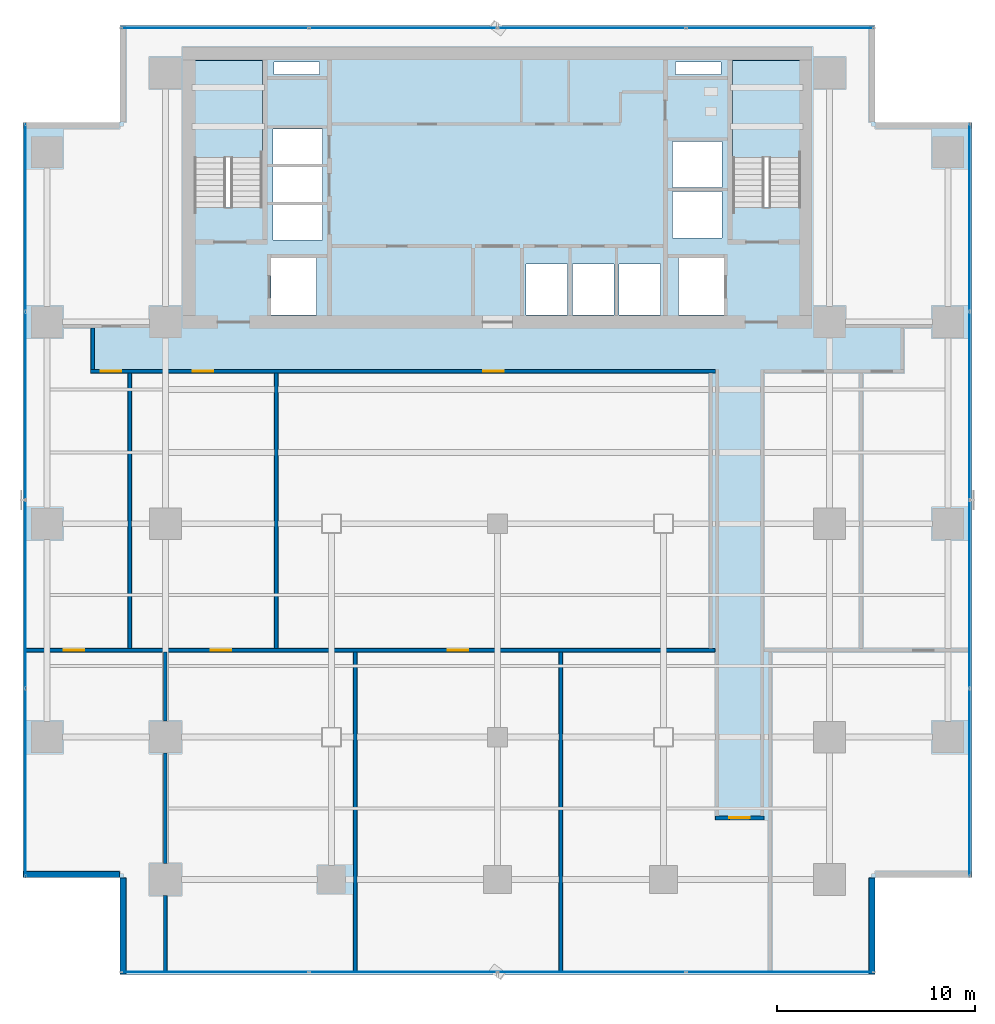
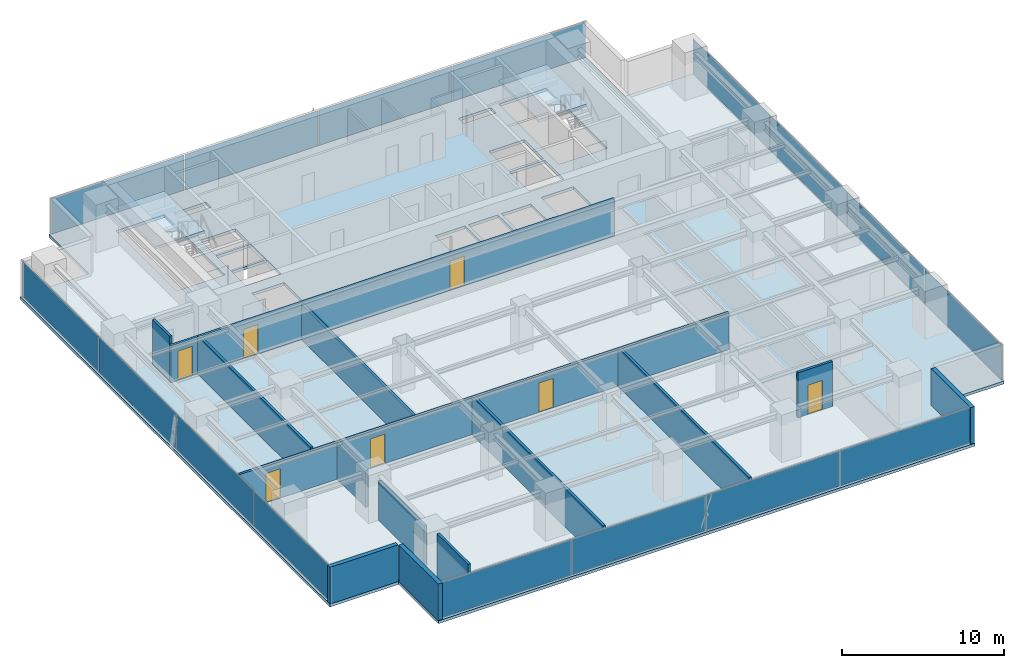
# One storey, part 20 of 28: 16 plates, 14 walls, 7 doors, 3 slabs, 7 openings, 6 elements without a shape of their own.
"""IFC4 building model written with IfcOpenShell, lengths in metres."""

from ifc_helpers import new_model, si_unit, direction, frame, frame_2d, origin, origin_2d, place, context, subcontext, project, spatial, polyline, rectangle, outline, extrude, source, transform, mapped, material, layer, layer_set, type_object, element, fill, aggregate, save


model = new_model("IFC4")

# Units and contexts
model_context = context("Model", 3, precision=1e-05, world=origin(), true_north=direction((0.0, 1.0)))
body_context = subcontext(model_context, "Body", "Model", "MODEL_VIEW")
ifc_project = project(units=[si_unit("LENGTHUNIT", "METRE"), si_unit("AREAUNIT", "SQUARE_METRE"), si_unit("VOLUMEUNIT", "CUBIC_METRE"), si_unit("PLANEANGLEUNIT", "RADIAN"), si_unit("MASSUNIT", "GRAM", prefix="KILO")], contexts=[model_context])

# Site, building, storey
site_placement = place(None, origin())
site = spatial("IfcSite", under=ifc_project, at=site_placement, CompositionType="ELEMENT")
building_placement = place(site_placement, origin())
building = spatial("IfcBuilding", under=site, at=building_placement, Name="Sumidabori Civic Tower", CompositionType="ELEMENT")
storey_placement = place(building_placement, frame((0.0, 0.0, 171.199951171875)))
storey = spatial("IfcBuildingStorey", under=building, at=storey_placement, Name="L44", CompositionType="ELEMENT", Elevation=171.199951171875)

# Stair, slab
ifc_material_1 = material(Name="Concrete C40/50", Category="concrete")
stair_type = type_object("IfcStairType", Name="ST-CORE-1600", PredefinedType="HALF_TURN_STAIR", material=ifc_material_1)
stair_1_placement = place(storey_placement, origin())
stair_1 = element("IfcStair", 1, at=stair_1_placement, inside=storey, type_object=stair_type, Name="L44 ST-1", PredefinedType="HALF_TURN_STAIR")
ifc_layer_1 = layer(ifc_material_1, 0.199951171875, Name="Concrete C40/50")
ifc_layer_set_1 = layer_set([ifc_layer_1], Name="Concrete C40/50")
slab_type_1 = type_object("IfcSlabType", Name="SL-LAND-200", PredefinedType="LANDING", material=ifc_layer_set_1)
slab_1_placement = place(storey_placement, frame((0.0, 0.0, 1.60009765625)))
slab_1 = element("IfcSlab", 2, at=slab_1_placement, type_object=slab_type_1, Name="ST-1 landing 1", PredefinedType="LANDING", context=body_context, shape_type="SweptSolid", body=[
    extrude(outline(polyline([(-11.89990234375, 18.52001953125), (-11.89990234375, 23.449951171875), (-15.340087890625, 23.449951171875), (-15.340087890625, 18.52001953125), (-11.89990234375, 18.52001953125)])), origin(), (0.0, 0.0, 1.0), 0.199951171875),
])
aggregate(stair_1, [slab_1])

stair_2_placement = place(storey_placement, origin())
stair_2 = element("IfcStair", 3, at=stair_2_placement, inside=storey, type_object=stair_type, Name="L44 ST-2", PredefinedType="HALF_TURN_STAIR")
slab_2_placement = place(storey_placement, frame((0.0, 0.0, 1.60009765625)))
slab_2 = element("IfcSlab", 4, at=slab_2_placement, type_object=slab_type_1, Name="ST-2 landing 1", PredefinedType="LANDING", context=body_context, shape_type="SweptSolid", body=[
    extrude(outline(polyline([(15.340087890625, 18.52001953125), (15.340087890625, 23.449951171875), (11.89990234375, 23.449951171875), (11.89990234375, 18.52001953125), (15.340087890625, 18.52001953125)])), origin(), (0.0, 0.0, 1.0), 0.199951171875),
])
aggregate(stair_2, [slab_2])

# Slab
ifc_layer_2 = layer(ifc_material_1, 0.219970703125, Name="Concrete C40/50")
ifc_layer_set_2 = layer_set([ifc_layer_2], Name="Concrete C40/50")
slab_type_2 = type_object("IfcSlabType", Name="SL-Z3-220", PredefinedType="FLOOR", material=ifc_layer_set_2)
slab_3_placement = place(storey_placement, frame((0.0, 0.0, -0.219970703125)))
element("IfcSlab", 5, at=slab_3_placement, inside=storey, type_object=slab_type_2, Name="Structural Slab L44", PredefinedType="FLOOR", context=body_context, shape_type="SweptSolid", body=[
    extrude(outline(polyline([(-19.10009765625, -22.800048828125), (19.10009765625, -22.800048828125), (19.10009765625, -17.89990234375), (24.0, -17.89990234375), (24.0, 20.300048828125), (19.10009765625, 20.300048828125), (19.10009765625, 25.199951171875), (-19.10009765625, 25.199951171875), (-19.10009765625, 20.300048828125), (-24.0, 20.300048828125), (-24.0, -17.89990234375), (-19.10009765625, -17.89990234375), (-19.10009765625, -22.800048828125)]), holes=[polyline([(-11.89990234375, 16.0), (-11.89990234375, 23.449951171875), (-15.340087890625, 23.449951171875), (-15.340087890625, 16.0), (-11.89990234375, 16.0)]), polyline([(15.340087890625, 16.0), (15.340087890625, 23.449951171875), (11.89990234375, 23.449951171875), (11.89990234375, 16.0), (15.340087890625, 16.0)]), polyline([(-11.449951171875, 10.550048828125), (-9.14990234375, 10.550048828125), (-9.14990234375, 13.449951171875), (-11.449951171875, 13.449951171875), (-11.449951171875, 10.550048828125)]), polyline([(9.14990234375, 10.550048828125), (11.449951171875, 10.550048828125), (11.449951171875, 13.449951171875), (9.14990234375, 13.449951171875), (9.14990234375, 10.550048828125)]), polyline([(1.449951171875, 10.550048828125), (3.550048828125, 10.550048828125), (3.550048828125, 13.14990234375), (1.449951171875, 13.14990234375), (1.449951171875, 10.550048828125)]), polyline([(3.800048828125, 10.550048828125), (5.89990234375, 10.550048828125), (5.89990234375, 13.14990234375), (3.800048828125, 13.14990234375), (3.800048828125, 10.550048828125)]), polyline([(6.14990234375, 10.550048828125), (8.25, 10.550048828125), (8.25, 13.14990234375), (6.14990234375, 13.14990234375), (6.14990234375, 10.550048828125)]), polyline([(-11.35009765625, 14.35009765625), (-8.85009765625, 14.35009765625), (-8.85009765625, 16.1201171875), (-11.35009765625, 16.1201171875), (-11.35009765625, 14.35009765625)]), polyline([(-11.35009765625, 16.27001953125), (-8.85009765625, 16.27001953125), (-8.85009765625, 18.0400390625), (-11.35009765625, 18.0400390625), (-11.35009765625, 16.27001953125)]), polyline([(-11.35009765625, 18.18994140625), (-8.85009765625, 18.18994140625), (-8.85009765625, 19.9599609375), (-11.35009765625, 19.9599609375), (-11.35009765625, 18.18994140625)]), polyline([(8.85009765625, 14.449951171875), (11.35009765625, 14.449951171875), (11.35009765625, 16.800048828125), (8.85009765625, 16.800048828125), (8.85009765625, 14.449951171875)]), polyline([(8.85009765625, 17.0), (11.35009765625, 17.0), (11.35009765625, 19.35009765625), (8.85009765625, 19.35009765625), (8.85009765625, 17.0)]), polyline([(-11.300048828125, 22.719970703125), (-9.0, 22.719970703125), (-9.0, 23.35009765625), (-11.300048828125, 23.35009765625), (-11.300048828125, 22.719970703125)]), polyline([(9.0, 22.719970703125), (11.300048828125, 22.719970703125), (11.300048828125, 23.35009765625), (9.0, 23.35009765625), (9.0, 22.719970703125)])]), origin(), (0.0, 0.0, 1.0), 0.219970703125),
])

# Curtain wall, plates
ifc_material_2 = material(Name="Anodised Bronze Aluminium AW-6063-T6", Category="aluminium")
ifc_layer_3 = layer(ifc_material_2, 0.179931640625, Name="Anodised Bronze Aluminium AW-6063-T6")
ifc_layer_set_3 = layer_set([ifc_layer_3], Name="Anodised Bronze Aluminium AW-6063-T6")
curtain_wall_type = type_object("IfcCurtainWallType", Name="CW-SYS-3", PredefinedType="NOTDEFINED", material=ifc_layer_set_3)
curtain_wall_1_placement = place(storey_placement, origin())
curtain_wall_1 = element("IfcCurtainWall", 6, at=curtain_wall_1_placement, inside=storey, type_object=curtain_wall_type, Name="Curtain Wall CW:L44:R01", PredefinedType="NOTDEFINED")
ifc_material_3 = material(Name="Low-E Solar-Control Vision Glazing", Category="glass")
ifc_layer_4 = layer(ifc_material_3, 0.028076171875, Name="Low-E Solar-Control Vision Glazing")
ifc_layer_set_4 = layer_set([ifc_layer_4], Name="Low-E Solar-Control Vision Glazing")
plate_type = type_object("IfcPlateType", Name="CW-PNL-28", PredefinedType="CURTAIN_PANEL", material=ifc_layer_set_4)
shared_shape_1 = source(origin(), body_context, "Body", "SweptSolid", [
    extrude(rectangle(XDim=9.4375, YDim=0.028076171875, at=origin_2d()), origin(), (0.0, 0.0, 1.0), 2.639892578125),
])
plate_1_placement = place(storey_placement, frame((-14.2861328125, -22.679931640625, 0.06005859375), z_axis=(0.0, 0.0, 1.0), x_axis=(1.0, 0.0, 0.0)))
plate_1 = element("IfcPlate", 7, at=plate_1_placement, type_object=plate_type, Name="CW-3 panel 1.1", PredefinedType="CURTAIN_PANEL", context=body_context, shape_type="MappedRepresentation", body=[
    mapped(shared_shape_1, transform((0.0, 0.0, 0.0), x_axis=(1.0, 0.0, 0.0), y_axis=(0.0, 1.0, 0.0), z_axis=(0.0, 0.0, 1.0), scale=1.0)),
])
plate_2_placement = place(storey_placement, frame((14.2861328125, -22.679931640625, 0.06005859375), z_axis=(0.0, 0.0, 1.0), x_axis=(1.0, 0.0, 0.0)))
plate_2 = element("IfcPlate", 8, at=plate_2_placement, type_object=plate_type, Name="CW-3 panel 4.1", PredefinedType="CURTAIN_PANEL", context=body_context, shape_type="MappedRepresentation", body=[
    mapped(shared_shape_1, transform((0.0, 0.0, 0.0), x_axis=(1.0, 0.0, 0.0), y_axis=(0.0, 1.0, 0.0), z_axis=(0.0, 0.0, 1.0), scale=1.0)),
])

curtain_wall_2_placement = place(storey_placement, origin())
curtain_wall_2 = element("IfcCurtainWall", 9, at=curtain_wall_2_placement, inside=storey, type_object=curtain_wall_type, Name="Curtain Wall CW:L44:R04", PredefinedType="NOTDEFINED")
plate_3_placement = place(storey_placement, frame((23.8798828125, -13.086181640625, 0.06005859375), z_axis=(0.0, 0.0, 1.0), x_axis=(0.0, 1.0, 0.0)))
plate_3 = element("IfcPlate", 10, at=plate_3_placement, type_object=plate_type, Name="CW-3 panel 1.1", PredefinedType="CURTAIN_PANEL", context=body_context, shape_type="MappedRepresentation", body=[
    mapped(shared_shape_1, transform((0.0, 0.0, 0.0), x_axis=(1.0, 0.0, 0.0), y_axis=(0.0, 1.0, 0.0), z_axis=(0.0, 0.0, 1.0), scale=1.0)),
])
plate_4_placement = place(storey_placement, frame((23.8798828125, 15.486328125, 0.06005859375), z_axis=(0.0, 0.0, 1.0), x_axis=(0.0, 1.0, 0.0)))
plate_4 = element("IfcPlate", 11, at=plate_4_placement, type_object=plate_type, Name="CW-3 panel 4.1", PredefinedType="CURTAIN_PANEL", context=body_context, shape_type="MappedRepresentation", body=[
    mapped(shared_shape_1, transform((0.0, 0.0, 0.0), x_axis=(1.0, 0.0, 0.0), y_axis=(0.0, 1.0, 0.0), z_axis=(0.0, 0.0, 1.0), scale=1.0)),
])

curtain_wall_3_placement = place(storey_placement, origin())
curtain_wall_3 = element("IfcCurtainWall", 12, at=curtain_wall_3_placement, inside=storey, type_object=curtain_wall_type, Name="Curtain Wall CW:L44:R07", PredefinedType="NOTDEFINED")
plate_5_placement = place(storey_placement, frame((14.2861328125, 25.080078125, 0.06005859375), z_axis=(0.0, 0.0, 1.0), x_axis=(-1.0, 0.0, 0.0)))
plate_5 = element("IfcPlate", 13, at=plate_5_placement, type_object=plate_type, Name="CW-3 panel 1.1", PredefinedType="CURTAIN_PANEL", context=body_context, shape_type="MappedRepresentation", body=[
    mapped(shared_shape_1, transform((0.0, 0.0, 0.0), x_axis=(1.0, 0.0, 0.0), y_axis=(0.0, 1.0, 0.0), z_axis=(0.0, 0.0, 1.0), scale=1.0)),
])
plate_6_placement = place(storey_placement, frame((-14.2861328125, 25.080078125, 0.06005859375), z_axis=(0.0, 0.0, 1.0), x_axis=(-1.0, 0.0, 0.0)))
plate_6 = element("IfcPlate", 14, at=plate_6_placement, type_object=plate_type, Name="CW-3 panel 4.1", PredefinedType="CURTAIN_PANEL", context=body_context, shape_type="MappedRepresentation", body=[
    mapped(shared_shape_1, transform((0.0, 0.0, 0.0), x_axis=(1.0, 0.0, 0.0), y_axis=(0.0, 1.0, 0.0), z_axis=(0.0, 0.0, 1.0), scale=1.0)),
])

curtain_wall_4_placement = place(storey_placement, origin())
curtain_wall_4 = element("IfcCurtainWall", 15, at=curtain_wall_4_placement, inside=storey, type_object=curtain_wall_type, Name="Curtain Wall CW:L44:R10", PredefinedType="NOTDEFINED")
plate_7_placement = place(storey_placement, frame((-23.8798828125, 15.486328125, 0.06005859375), z_axis=(0.0, 0.0, 1.0), x_axis=(0.0, -1.0, 0.0)))
plate_7 = element("IfcPlate", 16, at=plate_7_placement, type_object=plate_type, Name="CW-3 panel 1.1", PredefinedType="CURTAIN_PANEL", context=body_context, shape_type="MappedRepresentation", body=[
    mapped(shared_shape_1, transform((0.0, 0.0, 0.0), x_axis=(1.0, 0.0, 0.0), y_axis=(0.0, 1.0, 0.0), z_axis=(0.0, 0.0, 1.0), scale=1.0)),
])
plate_8_placement = place(storey_placement, frame((-23.8798828125, -13.086181640625, 0.06005859375), z_axis=(0.0, 0.0, 1.0), x_axis=(0.0, -1.0, 0.0)))
plate_8 = element("IfcPlate", 17, at=plate_8_placement, type_object=plate_type, Name="CW-3 panel 4.1", PredefinedType="CURTAIN_PANEL", context=body_context, shape_type="MappedRepresentation", body=[
    mapped(shared_shape_1, transform((0.0, 0.0, 0.0), x_axis=(1.0, 0.0, 0.0), y_axis=(0.0, 1.0, 0.0), z_axis=(0.0, 0.0, 1.0), scale=1.0)),
])

# Plate
shared_shape_2 = source(origin(), body_context, "Body", "SweptSolid", [
    extrude(rectangle(XDim=9.469970703125, YDim=0.028076171875, at=origin_2d()), origin(), (0.0, 0.0, 1.0), 2.639892578125),
])
plate_9_placement = place(storey_placement, frame((-4.767578125, -22.679931640625, 0.06005859375), z_axis=(0.0, 0.0, 1.0), x_axis=(1.0, 0.0, 0.0)))
plate_9 = element("IfcPlate", 18, at=plate_9_placement, type_object=plate_type, Name="CW-3 panel 2.1", PredefinedType="CURTAIN_PANEL", context=body_context, shape_type="MappedRepresentation", body=[
    mapped(shared_shape_2, transform((0.0, 0.0, 0.0), x_axis=(1.0, 0.0, 0.0), y_axis=(0.0, 1.0, 0.0), z_axis=(0.0, 0.0, 1.0), scale=1.0)),
])

plate_10_placement = place(storey_placement, frame((4.767578125, -22.679931640625, 0.06005859375), z_axis=(0.0, 0.0, 1.0), x_axis=(1.0, 0.0, 0.0)))
plate_10 = element("IfcPlate", 19, at=plate_10_placement, type_object=plate_type, Name="CW-3 panel 3.1", PredefinedType="CURTAIN_PANEL", context=body_context, shape_type="MappedRepresentation", body=[
    mapped(shared_shape_2, transform((0.0, 0.0, 0.0), x_axis=(1.0, 0.0, 0.0), y_axis=(0.0, 1.0, 0.0), z_axis=(0.0, 0.0, 1.0), scale=1.0)),
])

aggregate(curtain_wall_1, [plate_1, plate_9, plate_10, plate_2])

plate_11_placement = place(storey_placement, frame((23.8798828125, -3.5673828125, 0.06005859375), z_axis=(0.0, 0.0, 1.0), x_axis=(0.0, 1.0, 0.0)))
plate_11 = element("IfcPlate", 20, at=plate_11_placement, type_object=plate_type, Name="CW-3 panel 2.1", PredefinedType="CURTAIN_PANEL", context=body_context, shape_type="MappedRepresentation", body=[
    mapped(shared_shape_2, transform((0.0, 0.0, 0.0), x_axis=(1.0, 0.0, 0.0), y_axis=(0.0, 1.0, 0.0), z_axis=(0.0, 0.0, 1.0), scale=1.0)),
])

plate_12_placement = place(storey_placement, frame((23.8798828125, 5.967529296875, 0.06005859375), z_axis=(0.0, 0.0, 1.0), x_axis=(0.0, 1.0, 0.0)))
plate_12 = element("IfcPlate", 21, at=plate_12_placement, type_object=plate_type, Name="CW-3 panel 3.1", PredefinedType="CURTAIN_PANEL", context=body_context, shape_type="MappedRepresentation", body=[
    mapped(shared_shape_2, transform((0.0, 0.0, 0.0), x_axis=(1.0, 0.0, 0.0), y_axis=(0.0, 1.0, 0.0), z_axis=(0.0, 0.0, 1.0), scale=1.0)),
])

aggregate(curtain_wall_2, [plate_3, plate_11, plate_12, plate_4])

plate_13_placement = place(storey_placement, frame((4.767578125, 25.080078125, 0.06005859375), z_axis=(0.0, 0.0, 1.0), x_axis=(-1.0, 0.0, 0.0)))
plate_13 = element("IfcPlate", 22, at=plate_13_placement, type_object=plate_type, Name="CW-3 panel 2.1", PredefinedType="CURTAIN_PANEL", context=body_context, shape_type="MappedRepresentation", body=[
    mapped(shared_shape_2, transform((0.0, 0.0, 0.0), x_axis=(1.0, 0.0, 0.0), y_axis=(0.0, 1.0, 0.0), z_axis=(0.0, 0.0, 1.0), scale=1.0)),
])

plate_14_placement = place(storey_placement, frame((-4.767578125, 25.080078125, 0.06005859375), z_axis=(0.0, 0.0, 1.0), x_axis=(-1.0, 0.0, 0.0)))
plate_14 = element("IfcPlate", 23, at=plate_14_placement, type_object=plate_type, Name="CW-3 panel 3.1", PredefinedType="CURTAIN_PANEL", context=body_context, shape_type="MappedRepresentation", body=[
    mapped(shared_shape_2, transform((0.0, 0.0, 0.0), x_axis=(1.0, 0.0, 0.0), y_axis=(0.0, 1.0, 0.0), z_axis=(0.0, 0.0, 1.0), scale=1.0)),
])

aggregate(curtain_wall_3, [plate_5, plate_13, plate_14, plate_6])

plate_15_placement = place(storey_placement, frame((-23.8798828125, 5.967529296875, 0.06005859375), z_axis=(0.0, 0.0, 1.0), x_axis=(0.0, -1.0, 0.0)))
plate_15 = element("IfcPlate", 24, at=plate_15_placement, type_object=plate_type, Name="CW-3 panel 2.1", PredefinedType="CURTAIN_PANEL", context=body_context, shape_type="MappedRepresentation", body=[
    mapped(shared_shape_2, transform((0.0, 0.0, 0.0), x_axis=(1.0, 0.0, 0.0), y_axis=(0.0, 1.0, 0.0), z_axis=(0.0, 0.0, 1.0), scale=1.0)),
])

plate_16_placement = place(storey_placement, frame((-23.8798828125, -3.5673828125, 0.06005859375), z_axis=(0.0, 0.0, 1.0), x_axis=(0.0, -1.0, 0.0)))
plate_16 = element("IfcPlate", 25, at=plate_16_placement, type_object=plate_type, Name="CW-3 panel 3.1", PredefinedType="CURTAIN_PANEL", context=body_context, shape_type="MappedRepresentation", body=[
    mapped(shared_shape_2, transform((0.0, 0.0, 0.0), x_axis=(1.0, 0.0, 0.0), y_axis=(0.0, 1.0, 0.0), z_axis=(0.0, 0.0, 1.0), scale=1.0)),
])

aggregate(curtain_wall_4, [plate_7, plate_15, plate_16, plate_8])

# Walls
ifc_material_4 = material(Name="Precast concrete C40/50", Category="concrete")
ifc_layer_5 = layer(ifc_material_4, 0.300048828125, Name="Precast concrete C40/50")
ifc_layer_set_5 = layer_set([ifc_layer_5], Name="Precast concrete C40/50")
wall_type_1 = type_object("IfcWallType", Name="WL-EXT-POD300", PredefinedType="STANDARD", material=ifc_layer_set_5)
shared_shape_3 = source(origin(), body_context, "Body", "SweptSolid", [
    extrude(rectangle(XDim=4.860107421875, YDim=0.300048828125, at=frame_2d((2.43017578125, 0.0))), origin(), (0.0, 0.0, 1.0), 2.760009765625),
])
for number, where, z_axis, x_axis, name in (
    (26, (18.949951171875, -22.780029296875, 0.0), (0.0, 0.0, 1.0), (0.0, 1.0, 0.0), "Notched Corner Spandrel Band L44-02"),
    (27, (-18.949951171875, -17.919921875, 0.0), (0.0, 0.0, 1.0), (0.0, -1.0, 0.0), "Notched Corner Spandrel Band L44-12"),
):
    element("IfcWall", number, at=place(storey_placement, frame(where, z_axis=z_axis, x_axis=x_axis)), inside=storey, type_object=wall_type_1, Name=name, PredefinedType="STANDARD", context=body_context, shape_type="MappedRepresentation", body=[
        mapped(shared_shape_3, transform((0.0, 0.0, 0.0), x_axis=(1.0, 0.0, 0.0), y_axis=(0.0, 1.0, 0.0), z_axis=(0.0, 0.0, 1.0), scale=1.0)),
    ])
shared_shape_4 = source(origin(), body_context, "Body", "SweptSolid", [
    extrude(rectangle(XDim=4.85986328125, YDim=0.300048828125, at=frame_2d((2.429931640625, 0.0))), origin(), (0.0, 0.0, 1.0), 2.760009765625),
])
wall_1_placement = place(storey_placement, frame((-23.97998046875, -17.75, 0.0), z_axis=(0.0, 0.0, 1.0), x_axis=(1.0, 0.0, 0.0)))
element("IfcWall", 28, at=wall_1_placement, inside=storey, type_object=wall_type_1, Name="Notched Corner Spandrel Band L44-11", PredefinedType="STANDARD", context=body_context, shape_type="MappedRepresentation", body=[
    mapped(shared_shape_4, transform((0.0, 0.0, 0.0), x_axis=(1.0, 0.0, 0.0), y_axis=(0.0, 1.0, 0.0), z_axis=(0.0, 0.0, 1.0), scale=1.0)),
])

# Wall, openings, doors
ifc_material_5 = material(Name="Gypsum Plasterboard Acoustic Partition")
ifc_layer_6 = layer(ifc_material_5, 0.179931640625, Name="Gypsum Plasterboard Acoustic Partition")
ifc_layer_set_6 = layer_set([ifc_layer_6], Name="Gypsum Plasterboard Acoustic Partition")
wall_type_2 = type_object("IfcWallType", Name="WL-PART-180", PredefinedType="PARTITIONING", material=ifc_layer_set_6)
shared_shape_5 = source(origin(), body_context, "Body", "SweptSolid", [
    extrude(rectangle(XDim=31.60009765625, YDim=0.179931640625, at=frame_2d((15.800048828125, 0.0))), origin(), (0.0, 0.0, 1.0), 2.76513671875),
])
wall_2_placement = place(storey_placement, frame((-20.580078125, 7.7099609375, 0.0), z_axis=(0.0, 0.0, 1.0), x_axis=(1.0, 0.0, 0.0)))
wall_2 = element("IfcWall", 29, at=wall_2_placement, inside=storey, type_object=wall_type_2, Name="Interior Partition WL:L44:CORR-SW", PredefinedType="PARTITIONING", context=body_context, shape_type="MappedRepresentation", body=[
    mapped(shared_shape_5, transform((0.0, 0.0, 0.0), x_axis=(1.0, 0.0, 0.0), y_axis=(0.0, 1.0, 0.0), z_axis=(0.0, 0.0, 1.0), scale=1.0)),
])
opening_1_placement = place(wall_2_placement, frame((0.4951171875, 0.0, 0.0)))
opening_1 = element("IfcOpeningElement", 30, at=opening_1_placement, cuts=wall_2, Name="Opening DR-4", PredefinedType="OPENING", context=body_context, shape_type="SweptSolid", body=[
    extrude(rectangle(XDim=1.0400390625, YDim=2.199951171875, at=frame_2d((0.52001953125, 1.10009765625))), frame((0.0, 0.10205078125, 0.0), z_axis=(0.0, -1.0, 0.0), x_axis=(1.0, 0.0, 0.0)), (0.0, 0.0, 1.0), 0.203857421875),
])
opening_2_placement = place(wall_2_placement, frame((5.159912109375, 0.0, 0.0)))
opening_2 = element("IfcOpeningElement", 31, at=opening_2_placement, cuts=wall_2, Name="Opening DR-4", PredefinedType="OPENING", context=body_context, shape_type="SweptSolid", body=[
    extrude(rectangle(XDim=1.0400390625, YDim=2.199951171875, at=frame_2d((0.52001953125, 1.10009765625))), frame((0.0, 0.10205078125, 0.0), z_axis=(0.0, -1.0, 0.0), x_axis=(1.0, 0.0, 0.0)), (0.0, 0.0, 1.0), 0.203857421875),
])
opening_3_placement = place(wall_2_placement, frame((19.860107421875, 0.0, 0.0)))
opening_3 = element("IfcOpeningElement", 32, at=opening_3_placement, cuts=wall_2, Name="Opening DR-4", PredefinedType="OPENING", context=body_context, shape_type="SweptSolid", body=[
    extrude(rectangle(XDim=1.0400390625, YDim=2.199951171875, at=frame_2d((0.52001953125, 1.10009765625))), frame((0.0, 0.10205078125, 0.0), z_axis=(0.0, -1.0, 0.0), x_axis=(1.0, 0.0, 0.0)), (0.0, 0.0, 1.0), 0.203857421875),
])
ifc_material_6 = material(Name="Japanese Hinoki Timber", Category="wood")
door_type = type_object("IfcDoorType", Name="DR-INT-1040", OperationType="NOTDEFINED", PredefinedType="DOOR", material=ifc_material_6)
shared_shape_6 = source(origin(), body_context, "Body", "SweptSolid", [
    extrude(rectangle(XDim=1.0400390625, YDim=2.199951171875, at=frame_2d((0.52001953125, 1.10009765625))), frame((0.0, 0.02490234375, 0.0), z_axis=(0.0, -1.0, 0.0), x_axis=(1.0, 0.0, 0.0)), (0.0, 0.0, 1.0), 0.050048828125),
])
door_1_placement = place(opening_1_placement, origin())
door_1 = element("IfcDoor", 33, at=door_1_placement, inside=storey, type_object=door_type, Name="Door DR:L44:D02", OperationType="SINGLE_SWING_RIGHT", OverallHeight=2.199951171875, OverallWidth=1.0400390625, PredefinedType="DOOR", context=body_context, shape_type="MappedRepresentation", body=[
    mapped(shared_shape_6, transform((0.0, 0.0, 0.0), x_axis=(1.0, 0.0, 0.0), y_axis=(0.0, 1.0, 0.0), z_axis=(0.0, 0.0, 1.0), scale=1.0)),
])
fill(opening_1, door_1)
door_2_placement = place(opening_2_placement, origin())
door_2 = element("IfcDoor", 34, at=door_2_placement, inside=storey, type_object=door_type, Name="Door DR:L44:D04", OperationType="SINGLE_SWING_RIGHT", OverallHeight=2.199951171875, OverallWidth=1.0400390625, PredefinedType="DOOR", context=body_context, shape_type="MappedRepresentation", body=[
    mapped(shared_shape_6, transform((0.0, 0.0, 0.0), x_axis=(1.0, 0.0, 0.0), y_axis=(0.0, 1.0, 0.0), z_axis=(0.0, 0.0, 1.0), scale=1.0)),
])
fill(opening_2, door_2)
door_3_placement = place(opening_3_placement, origin())
door_3 = element("IfcDoor", 35, at=door_3_placement, inside=storey, type_object=door_type, Name="Door DR:L44:D05", OperationType="SINGLE_SWING_LEFT", OverallHeight=2.199951171875, OverallWidth=1.0400390625, PredefinedType="DOOR", context=body_context, shape_type="MappedRepresentation", body=[
    mapped(shared_shape_6, transform((0.0, 0.0, 0.0), x_axis=(1.0, 0.0, 0.0), y_axis=(0.0, 1.0, 0.0), z_axis=(0.0, 0.0, 1.0), scale=1.0)),
])
fill(opening_3, door_3)

# Wall, opening, door
shared_shape_7 = source(origin(), body_context, "Body", "SweptSolid", [
    extrude(rectangle(XDim=2.4599609375, YDim=0.179931640625, at=frame_2d((1.22998046875, 0.0))), origin(), (0.0, 0.0, 1.0), 3.380126953125),
])
wall_3_placement = place(storey_placement, frame((11.02001953125, -14.889892578125, 0.0), z_axis=(0.0, 0.0, 1.0), x_axis=(1.0, 0.0, 0.0)))
wall_3 = element("IfcWall", 36, at=wall_3_placement, inside=storey, type_object=wall_type_2, Name="Interior Partition WL:L44:CORR-CAP-E", PredefinedType="PARTITIONING", context=body_context, shape_type="MappedRepresentation", body=[
    mapped(shared_shape_7, transform((0.0, 0.0, 0.0), x_axis=(1.0, 0.0, 0.0), y_axis=(0.0, 1.0, 0.0), z_axis=(0.0, 0.0, 1.0), scale=1.0)),
])
opening_4_placement = place(wall_3_placement, frame((0.7099609375, 0.0, 0.0)))
opening_4 = element("IfcOpeningElement", 37, at=opening_4_placement, cuts=wall_3, Name="Opening DR-4", PredefinedType="OPENING", context=body_context, shape_type="SweptSolid", body=[
    extrude(rectangle(XDim=1.0400390625, YDim=2.199951171875, at=frame_2d((0.52001953125, 1.10009765625))), frame((0.0, 0.10205078125, 0.0), z_axis=(0.0, -1.0, 0.0), x_axis=(1.0, 0.0, 0.0)), (0.0, 0.0, 1.0), 0.203857421875),
])
door_4_placement = place(opening_4_placement, origin())
door_4 = element("IfcDoor", 38, at=door_4_placement, inside=storey, type_object=door_type, Name="Door DR:L44:D07", OperationType="SINGLE_SWING_LEFT", OverallHeight=2.199951171875, OverallWidth=1.0400390625, PredefinedType="DOOR", context=body_context, shape_type="MappedRepresentation", body=[
    mapped(shared_shape_6, transform((0.0, 0.0, 0.0), x_axis=(1.0, 0.0, 0.0), y_axis=(0.0, 1.0, 0.0), z_axis=(0.0, 0.0, 1.0), scale=1.0)),
])
fill(opening_4, door_4)

# Wall
shared_shape_8 = source(origin(), body_context, "Body", "SweptSolid", [
    extrude(rectangle(XDim=2.10009765625, YDim=0.179931640625, at=frame_2d((1.050048828125, 0.0))), origin(), (0.0, 0.0, 1.0), 3.380126953125),
])
wall_4_placement = place(storey_placement, frame((-20.489990234375, 7.804931640625, 0.0), z_axis=(0.0, 0.0, 1.0), x_axis=(0.0, 1.0, 0.0)))
element("IfcWall", 39, at=wall_4_placement, inside=storey, type_object=wall_type_2, Name="Interior Partition WL:L44:CORR-VNW", PredefinedType="PARTITIONING", context=body_context, shape_type="MappedRepresentation", body=[
    mapped(shared_shape_8, transform((0.0, 0.0, 0.0), x_axis=(1.0, 0.0, 0.0), y_axis=(0.0, 1.0, 0.0), z_axis=(0.0, 0.0, 1.0), scale=1.0)),
])

# Wall, openings, doors
shared_shape_9 = source(origin(), body_context, "Body", "SweptSolid", [
    extrude(rectangle(XDim=34.864990234375, YDim=0.179931640625, at=frame_2d((17.4326171875, 0.0))), origin(), (0.0, 0.0, 1.0), 2.76513671875),
])
wall_5_placement = place(storey_placement, frame((-23.85009765625, -6.39990234375, 0.0), z_axis=(0.0, 0.0, 1.0), x_axis=(1.0, 0.0, 0.0)))
wall_5 = element("IfcWall", 40, at=wall_5_placement, inside=storey, type_object=wall_type_2, Name="Interior Partition WL:L44:BAND-Y-1", PredefinedType="PARTITIONING", context=body_context, shape_type="MappedRepresentation", body=[
    mapped(shared_shape_9, transform((0.0, 0.0, 0.0), x_axis=(1.0, 0.0, 0.0), y_axis=(0.0, 1.0, 0.0), z_axis=(0.0, 0.0, 1.0), scale=1.0)),
])
opening_5_placement = place(wall_5_placement, frame((1.89990234375, 0.0, 0.0)))
opening_5 = element("IfcOpeningElement", 41, at=opening_5_placement, cuts=wall_5, Name="Opening DR-4", PredefinedType="OPENING", context=body_context, shape_type="SweptSolid", body=[
    extrude(rectangle(XDim=1.0400390625, YDim=2.199951171875, at=frame_2d((0.52001953125, 1.10009765625))), frame((0.0, 0.10205078125, 0.0), z_axis=(0.0, -1.0, 0.0), x_axis=(1.0, 0.0, 0.0)), (0.0, 0.0, 1.0), 0.203857421875),
])
opening_6_placement = place(wall_5_placement, frame((9.330078125, 0.0, 0.0)))
opening_6 = element("IfcOpeningElement", 42, at=opening_6_placement, cuts=wall_5, Name="Opening DR-4", PredefinedType="OPENING", context=body_context, shape_type="SweptSolid", body=[
    extrude(rectangle(XDim=1.0400390625, YDim=2.199951171875, at=frame_2d((0.52001953125, 1.10009765625))), frame((0.0, 0.10205078125, 0.0), z_axis=(0.0, -1.0, 0.0), x_axis=(1.0, 0.0, 0.0)), (0.0, 0.0, 1.0), 0.203857421875),
])
opening_7_placement = place(wall_5_placement, frame((21.330078125, 0.0, 0.0)))
opening_7 = element("IfcOpeningElement", 43, at=opening_7_placement, cuts=wall_5, Name="Opening DR-4", PredefinedType="OPENING", context=body_context, shape_type="SweptSolid", body=[
    extrude(rectangle(XDim=1.0400390625, YDim=2.199951171875, at=frame_2d((0.52001953125, 1.10009765625))), frame((0.0, 0.10205078125, 0.0), z_axis=(0.0, -1.0, 0.0), x_axis=(1.0, 0.0, 0.0)), (0.0, 0.0, 1.0), 0.203857421875),
])
door_5_placement = place(opening_5_placement, origin())
door_5 = element("IfcDoor", 44, at=door_5_placement, inside=storey, type_object=door_type, Name="Door DR:L44:D08", OperationType="SINGLE_SWING_RIGHT", OverallHeight=2.199951171875, OverallWidth=1.0400390625, PredefinedType="DOOR", context=body_context, shape_type="MappedRepresentation", body=[
    mapped(shared_shape_6, transform((0.0, 0.0, 0.0), x_axis=(1.0, 0.0, 0.0), y_axis=(0.0, 1.0, 0.0), z_axis=(0.0, 0.0, 1.0), scale=1.0)),
])
fill(opening_5, door_5)
door_6_placement = place(opening_6_placement, origin())
door_6 = element("IfcDoor", 45, at=door_6_placement, inside=storey, type_object=door_type, Name="Door DR:L44:D10", OperationType="SINGLE_SWING_RIGHT", OverallHeight=2.199951171875, OverallWidth=1.0400390625, PredefinedType="DOOR", context=body_context, shape_type="MappedRepresentation", body=[
    mapped(shared_shape_6, transform((0.0, 0.0, 0.0), x_axis=(1.0, 0.0, 0.0), y_axis=(0.0, 1.0, 0.0), z_axis=(0.0, 0.0, 1.0), scale=1.0)),
])
fill(opening_6, door_6)
door_7_placement = place(opening_7_placement, origin())
door_7 = element("IfcDoor", 46, at=door_7_placement, inside=storey, type_object=door_type, Name="Door DR:L44:D11", OperationType="SINGLE_SWING_LEFT", OverallHeight=2.199951171875, OverallWidth=1.0400390625, PredefinedType="DOOR", context=body_context, shape_type="MappedRepresentation", body=[
    mapped(shared_shape_6, transform((0.0, 0.0, 0.0), x_axis=(1.0, 0.0, 0.0), y_axis=(0.0, 1.0, 0.0), z_axis=(0.0, 0.0, 1.0), scale=1.0)),
])
fill(opening_7, door_7)

# Walls
shared_shape_10 = source(origin(), body_context, "Body", "SweptSolid", [
    extrude(rectangle(XDim=13.919921875, YDim=0.179931640625, at=frame_2d((6.9599609375, 0.0))), origin(), (0.0, 0.0, 1.0), 2.9150390625),
])
wall_6_placement = place(storey_placement, frame((-18.60009765625, -6.304931640625, 0.0), z_axis=(0.0, 0.0, 1.0), x_axis=(0.0, 1.0, 0.0)))
element("IfcWall", 47, at=wall_6_placement, inside=storey, type_object=wall_type_2, Name="Interior Partition WL:L44:VX-N1", PredefinedType="PARTITIONING", context=body_context, shape_type="MappedRepresentation", body=[
    mapped(shared_shape_10, transform((0.0, 0.0, 0.0), x_axis=(1.0, 0.0, 0.0), y_axis=(0.0, 1.0, 0.0), z_axis=(0.0, 0.0, 1.0), scale=1.0)),
])
shared_shape_11 = source(origin(), body_context, "Body", "SweptSolid", [
    extrude(rectangle(XDim=13.919921875, YDim=0.179931640625, at=frame_2d((6.9599609375, 0.0))), origin(), (0.0, 0.0, 1.0), 2.6650390625),
])
wall_7_placement = place(storey_placement, frame((-11.199951171875, -6.304931640625, 0.0), z_axis=(0.0, 0.0, 1.0), x_axis=(0.0, 1.0, 0.0)))
element("IfcWall", 48, at=wall_7_placement, inside=storey, type_object=wall_type_2, Name="Interior Partition WL:L44:VX-N2", PredefinedType="PARTITIONING", context=body_context, shape_type="MappedRepresentation", body=[
    mapped(shared_shape_11, transform((0.0, 0.0, 0.0), x_axis=(1.0, 0.0, 0.0), y_axis=(0.0, 1.0, 0.0), z_axis=(0.0, 0.0, 1.0), scale=1.0)),
])
shared_shape_12 = source(origin(), body_context, "Body", "SweptSolid", [
    extrude(rectangle(XDim=3.83984375, YDim=0.179931640625, at=frame_2d((1.919921875, 0.0))), origin(), (0.0, 0.0, 1.0), 3.380126953125),
])
wall_8_placement = place(storey_placement, frame((-16.800048828125, -22.64990234375, 0.0), z_axis=(0.0, 0.0, 1.0), x_axis=(0.0, 1.0, 0.0)))
element("IfcWall", 49, at=wall_8_placement, inside=storey, type_object=wall_type_2, Name="Interior Partition WL:L44:VX-S1-1", PredefinedType="PARTITIONING", context=body_context, shape_type="MappedRepresentation", body=[
    mapped(shared_shape_12, transform((0.0, 0.0, 0.0), x_axis=(1.0, 0.0, 0.0), y_axis=(0.0, 1.0, 0.0), z_axis=(0.0, 0.0, 1.0), scale=1.0)),
])
shared_shape_13 = source(origin(), body_context, "Body", "SweptSolid", [
    extrude(rectangle(XDim=5.579833984375, YDim=0.179931640625, at=frame_2d((2.7900390625, 0.0))), origin(), (0.0, 0.0, 1.0), 2.965087890625),
])
wall_9_placement = place(storey_placement, frame((-16.800048828125, -17.18994140625, 0.0), z_axis=(0.0, 0.0, 1.0), x_axis=(0.0, 1.0, 0.0)))
element("IfcWall", 50, at=wall_9_placement, inside=storey, type_object=wall_type_2, Name="Interior Partition WL:L44:VX-S1-2", PredefinedType="PARTITIONING", context=body_context, shape_type="MappedRepresentation", body=[
    mapped(shared_shape_13, transform((0.0, 0.0, 0.0), x_axis=(1.0, 0.0, 0.0), y_axis=(0.0, 1.0, 0.0), z_axis=(0.0, 0.0, 1.0), scale=1.0)),
])
shared_shape_14 = source(origin(), body_context, "Body", "SweptSolid", [
    extrude(rectangle(XDim=3.494873046875, YDim=0.179931640625, at=frame_2d((1.74755859375, 0.0))), origin(), (0.0, 0.0, 1.0), 2.76513671875),
])
wall_10_placement = place(storey_placement, frame((-16.800048828125, -9.989990234375, 0.0), z_axis=(0.0, 0.0, 1.0), x_axis=(0.0, 1.0, 0.0)))
element("IfcWall", 51, at=wall_10_placement, inside=storey, type_object=wall_type_2, Name="Interior Partition WL:L44:VX-S1-3", PredefinedType="PARTITIONING", context=body_context, shape_type="MappedRepresentation", body=[
    mapped(shared_shape_14, transform((0.0, 0.0, 0.0), x_axis=(1.0, 0.0, 0.0), y_axis=(0.0, 1.0, 0.0), z_axis=(0.0, 0.0, 1.0), scale=1.0)),
])
shared_shape_15 = source(origin(), body_context, "Body", "SweptSolid", [
    extrude(rectangle(XDim=16.15478515625, YDim=0.179931640625, at=frame_2d((8.077392578125, 0.0))), origin(), (0.0, 0.0, 1.0), 2.9150390625),
])
for number, where, z_axis, x_axis, name in (
    (52, (-7.199951171875, -22.64990234375, 0.0), (0.0, 0.0, 1.0), (0.0, 1.0, 0.0), "Interior Partition WL:L44:VX-S2"),
    (53, (3.199951171875, -22.64990234375, 0.0), (0.0, 0.0, 1.0), (0.0, 1.0, 0.0), "Interior Partition WL:L44:VX-S3"),
):
    element("IfcWall", number, at=place(storey_placement, frame(where, z_axis=z_axis, x_axis=x_axis)), inside=storey, type_object=wall_type_2, Name=name, PredefinedType="PARTITIONING", context=body_context, shape_type="MappedRepresentation", body=[
        mapped(shared_shape_15, transform((0.0, 0.0, 0.0), x_axis=(1.0, 0.0, 0.0), y_axis=(0.0, 1.0, 0.0), z_axis=(0.0, 0.0, 1.0), scale=1.0)),
    ])

save(model, "model.ifc")
